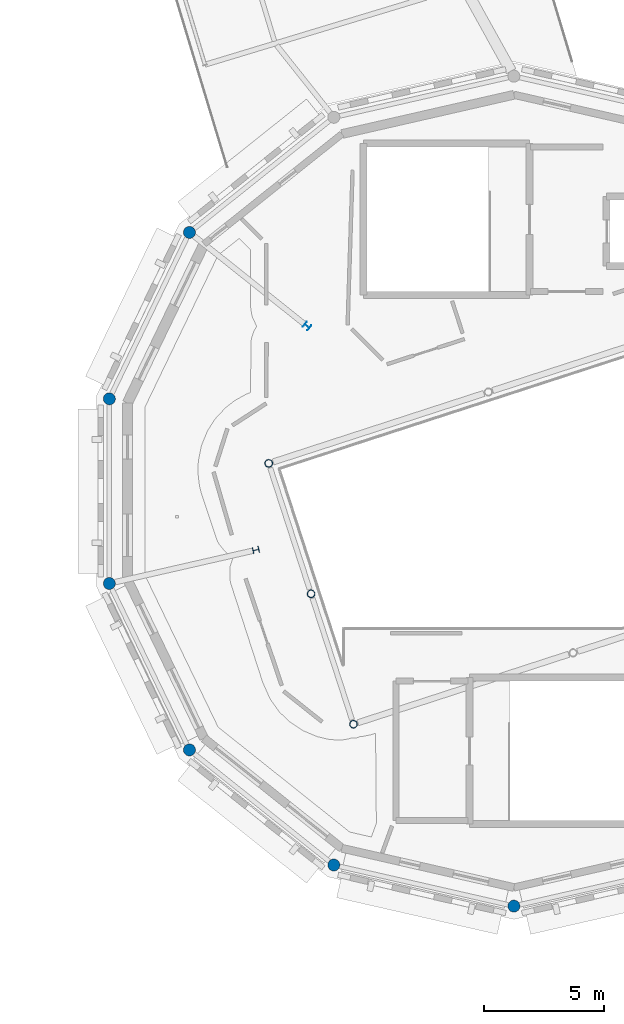
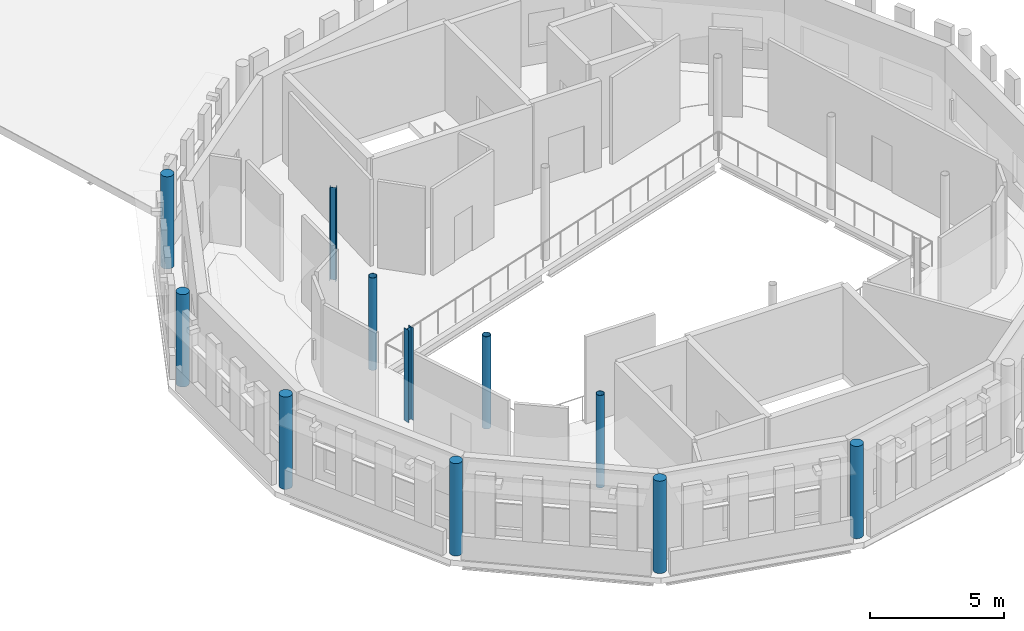
# One storey, part 1 of 68: 11 columns.
"""IFC4 building model written with IfcOpenShell, lengths in metres."""

from ifc_helpers import new_model, si_unit, direction, frame, origin, origin_2d, place, context, subcontext, project, spatial, circle, hollow_circle, i_section, extrude, material, material_profile, profile_set, type_object, element, save


model = new_model("IFC4")

# Units and contexts
model_context = context("Model", 3, precision=1e-05, world=origin(), true_north=direction((0.0, 1.0)))
body_context = subcontext(model_context, "Body", "Model", "MODEL_VIEW")
ifc_project = project(units=[si_unit("LENGTHUNIT", "METRE"), si_unit("AREAUNIT", "SQUARE_METRE"), si_unit("VOLUMEUNIT", "CUBIC_METRE"), si_unit("PLANEANGLEUNIT", "RADIAN"), si_unit("MASSUNIT", "GRAM", prefix="KILO")], contexts=[model_context])

# Site, building, storey
site_placement = place(None, origin())
site = spatial("IfcSite", under=ifc_project, at=site_placement, CompositionType="ELEMENT")
building_placement = place(site_placement, origin())
building = spatial("IfcBuilding", under=site, at=building_placement, Name="Wrenclough Park School", CompositionType="ELEMENT")
storey_placement = place(building_placement, frame((0.0, 0.0, 12.60009765625)))
storey = spatial("IfcBuildingStorey", under=building, at=storey_placement, Name="L03", CompositionType="ELEMENT", Elevation=12.60009765625)

# Columns
ifc_material_1 = material(Name="Structural steel S355", Category="steel")
ifc_material_profile_1 = material_profile(ifc_material_1, hollow_circle(Radius=0.161865234375, WallThickness=0.01611328125, at=origin_2d()), Name="CHS 323.9x16.0")
ifc_profile_set_1 = profile_set([ifc_material_profile_1], Name="Structural steel S355")
column_type_1 = type_object("IfcColumnType", Name="STR-COL-CHS324", PredefinedType="COLUMN", material=ifc_profile_set_1)
for number, where, z_axis, x_axis, name in (
    (1, (29.831298828125, 13.8125, 0.0), (0.0, 0.0, 1.0), (0.951056516295, 0.309016994375, 0.0), "D2 L03 column D2HR-0-0"),
    (2, (28.06982421875, 19.2333984375, 0.0), (0.0, 0.0, 1.0), (0.951056516295, 0.309016994375, 0.0), "D2 L03 column D2HR-0-1"),
    (3, (26.30859375, 24.654541015625, 0.0), (0.0, 0.0, 1.0), (0.951056516295, 0.309016994375, 0.0), "D2 L03 column D2HR-0-2"),
):
    element("IfcColumn", number, at=place(storey_placement, frame(where, z_axis=z_axis, x_axis=x_axis)), inside=storey, type_object=column_type_1, Name=name, PredefinedType="COLUMN", context=body_context, shape_type="SweptSolid", body=[
        extrude(hollow_circle(Radius=0.161865234375, WallThickness=0.01611328125, at=origin_2d()), origin(), (0.0, 0.0, 1.0), 4.199951171875),
    ])
ifc_material_2 = material(Name="Concrete C40/50", Category="concrete")
ifc_material_profile_2 = material_profile(ifc_material_2, circle(Radius=0.25, at=origin_2d()), Name="RC COL D500")
ifc_profile_set_2 = profile_set([ifc_material_profile_2], Name="Concrete C40/50")
column_type_2 = type_object("IfcColumnType", Name="STR-COL-RCD500", PredefinedType="COLUMN", material=ifc_profile_set_2)
for number, where, z_axis, x_axis, name in (
    (4, (23.013427734375, 34.255126953125, 0.0), (0.0, 0.0, 1.0), (-0.623470308046, -0.781847027868, 0.0), "D2 L03 column D2-OUT-06"),
    (5, (19.6826171875, 27.33837890625, 0.0), (0.0, 0.0, 1.0), (-0.222569549971, -0.974916814618, 0.0), "D2 L03 column D2-OUT-07"),
    (6, (19.6826171875, 19.66162109375, 0.0), (0.0, 0.0, 1.0), (0.222569549971, -0.974916814618, 0.0), "D2 L03 column D2-OUT-08"),
    (7, (23.013427734375, 12.744873046875, 0.0), (0.0, 0.0, 1.0), (0.623470308046, -0.781847027868, 0.0), "D2 L03 column D2-OUT-09"),
    (8, (29.015380859375, 7.958251953125, 0.0), (0.0, 0.0, 1.0), (0.90100131981, -0.43381634559, 0.0), "D2 L03 column D2-OUT-10"),
    (9, (36.5, 6.25, 0.0), (0.0, 0.0, 1.0), (1.0, 0.0, 0.0), "D2 L03 column D2-OUT-11"),
):
    element("IfcColumn", number, at=place(storey_placement, frame(where, z_axis=z_axis, x_axis=x_axis)), inside=storey, type_object=column_type_2, Name=name, PredefinedType="COLUMN", context=body_context, shape_type="SweptSolid", body=[
        extrude(circle(Radius=0.25, at=origin_2d()), origin(), (0.0, 0.0, 1.0), 4.199951171875),
    ])
ifc_material_profile_3 = material_profile(ifc_material_1, i_section(OverallWidth=0.254638671875, OverallDepth=0.254150390625, WebThickness=0.008544921875, FlangeThickness=0.01416015625, FilletRadius=0.0126953125, at=origin_2d()), Name="UKC 254x254x73")
ifc_profile_set_3 = profile_set([ifc_material_profile_3], Name="Structural steel S355")
column_type_3 = type_object("IfcColumnType", Name="STR-COL-UKC254A", PredefinedType="COLUMN", material=ifc_profile_set_3)
for number, where, z_axis, x_axis, name in (
    (10, (27.89990234375, 30.3583984375, 0.0), (0.0, 0.0, 1.0), (-0.623470308046, -0.781847027868, 0.0), "D2 L03 column D2-MID-06"),
    (11, (25.77587890625, 21.05224609375, 0.0), (0.0, 0.0, 1.0), (0.222569549971, -0.974916814618, 0.0), "D2 L03 column D2-MID-08"),
):
    element("IfcColumn", number, at=place(storey_placement, frame(where, z_axis=z_axis, x_axis=x_axis)), inside=storey, type_object=column_type_3, Name=name, PredefinedType="COLUMN", context=body_context, shape_type="SweptSolid", body=[
        extrude(i_section(OverallWidth=0.254638671875, OverallDepth=0.254150390625, WebThickness=0.008544921875, FlangeThickness=0.01416015625, FilletRadius=0.0126953125, at=origin_2d()), origin(), (0.0, 0.0, 1.0), 4.199951171875),
    ])

save(model, "model.ifc")
